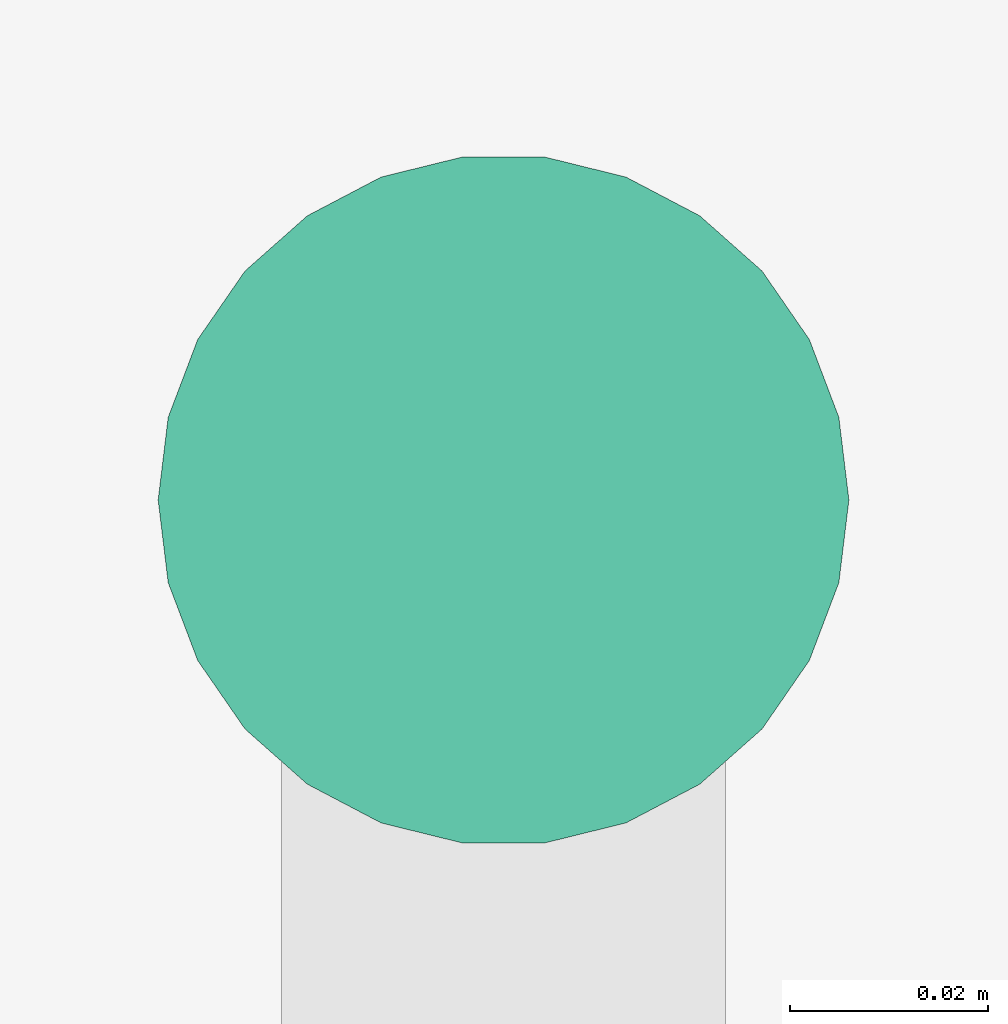
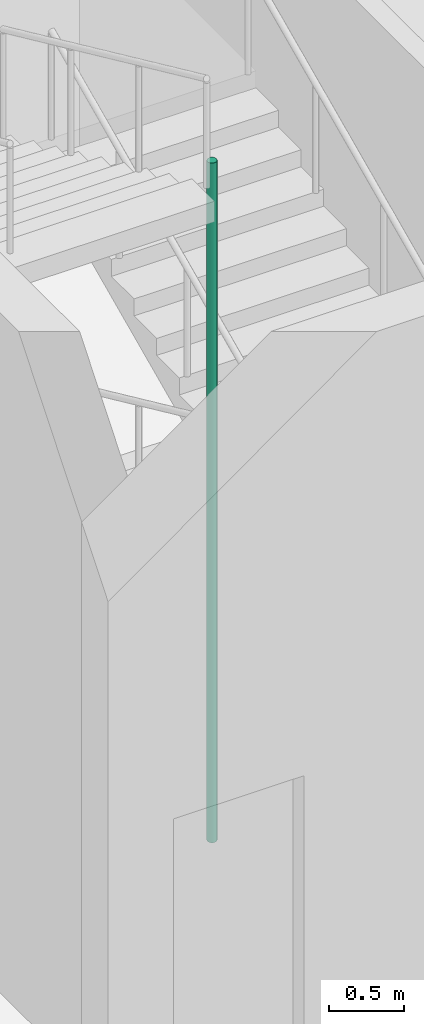
# One storey, part 26 of 33: 1 pipe segment.
"""IFC4 building model written with IfcOpenShell, lengths in metres."""

from ifc_helpers import new_model, si_unit, direction, frame, origin, origin_2d, place, context, subcontext, project, spatial, circle, extrude, element, save


model = new_model("IFC4")

# Units and contexts
model_context = context("Model", 3, precision=1e-05, world=origin(), true_north=direction((0.0, 1.0)))
body_context = subcontext(model_context, "Body", "Model", "MODEL_VIEW")
ifc_project = project(units=[si_unit("LENGTHUNIT", "METRE"), si_unit("AREAUNIT", "SQUARE_METRE"), si_unit("VOLUMEUNIT", "CUBIC_METRE"), si_unit("PLANEANGLEUNIT", "RADIAN"), si_unit("MASSUNIT", "GRAM", prefix="KILO")], contexts=[model_context])

# Site, building, storey
site_placement = place(None, origin())
site = spatial("IfcSite", under=ifc_project, at=site_placement, CompositionType="ELEMENT")
building_placement = place(site_placement, origin())
building = spatial("IfcBuilding", under=site, at=building_placement, Name="Nzadi Deep Aquarium and Research Tower", CompositionType="ELEMENT")
storey_placement = place(building_placement, frame((0.0, 0.0, -5.5)))
storey = spatial("IfcBuildingStorey", under=building, at=storey_placement, Name="B1", CompositionType="ELEMENT", Elevation=-5.5)

# Pipe segment
pipe_segment_placement = place(storey_placement, frame((55.300048828125, 116.360107421875, 0.0), z_axis=(0.0, 0.0, 1.0), x_axis=(1.0, 0.0, 0.0)))
element("IfcPipeSegment", 1, at=pipe_segment_placement, inside=storey, Name="Dry riser ST-Z3-E B1", PredefinedType="RIGIDSEGMENT", context=body_context, shape_type="SweptSolid", body=[
    extrude(circle(Radius=0.034912109375, at=origin_2d()), origin(), (0.0, 0.0, 1.0), 5.5),
])

save(model, "model.ifc")
